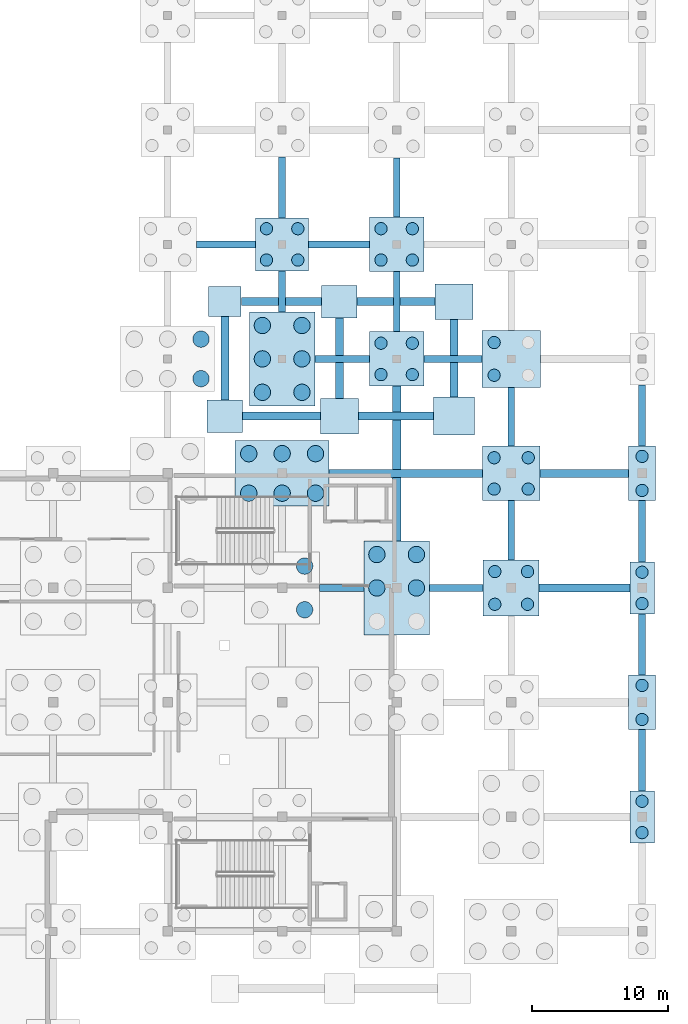
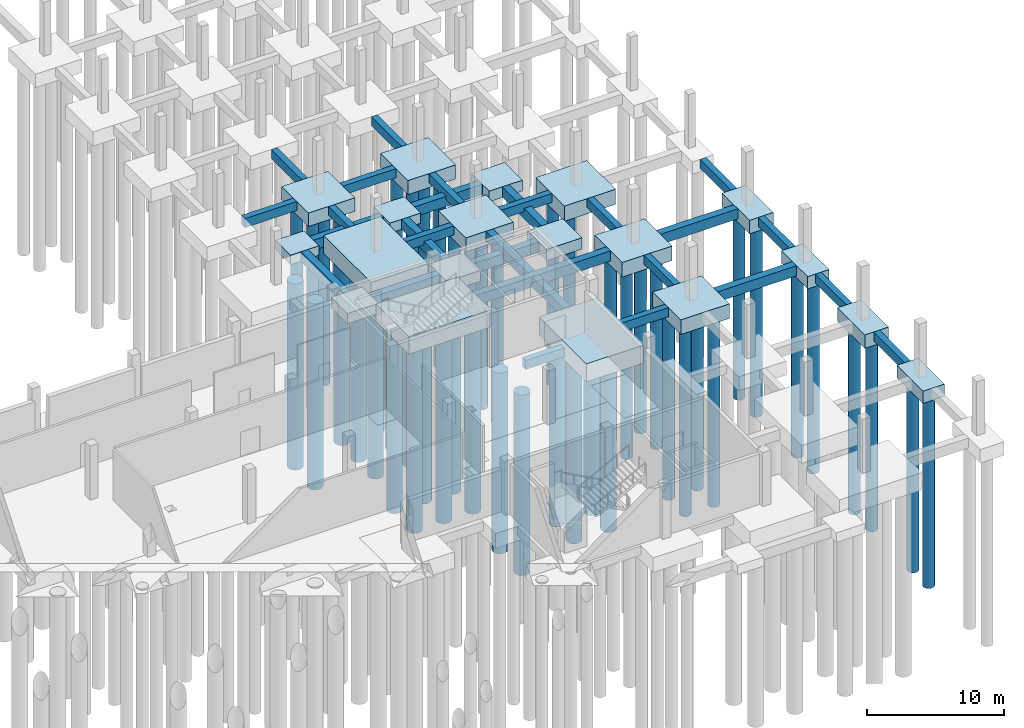
# One storey, part 10 of 24: 50 piles, 46 footings.
"""IFC4 building model written with IfcOpenShell, lengths in metres."""

from ifc_helpers import new_model, si_unit, derived_unit, direction, frame, origin, origin_2d, place, context, subcontext, project, spatial, rectangle, circle, extrude, material, layer, layer_set, material_profile, profile_set, type_object, element, save


model = new_model("IFC4")

# Units and contexts
model_context = context("Model", 3, precision=1e-05, world=origin(), true_north=direction((0.0, 1.0)))
body_context = subcontext(model_context, "Body", "Model", "MODEL_VIEW")
ifc_project = project(units=[si_unit("LENGTHUNIT", "METRE"), si_unit("AREAUNIT", "SQUARE_METRE"), si_unit("VOLUMEUNIT", "CUBIC_METRE"), si_unit("PLANEANGLEUNIT", "RADIAN"), si_unit("MASSUNIT", "GRAM", prefix="KILO"), derived_unit("THERMALTRANSMITTANCEUNIT", [(si_unit("POWERUNIT", "WATT"), 1), (si_unit("LENGTHUNIT", "METRE"), -2), (si_unit("THERMODYNAMICTEMPERATUREUNIT", "KELVIN"), -1)])], contexts=[model_context])

# Site, building, storey
site_placement = place(None, origin())
site = spatial("IfcSite", under=ifc_project, at=site_placement, CompositionType="ELEMENT")
building_placement = place(site_placement, origin())
building = spatial("IfcBuilding", under=site, at=building_placement, Name="Elbkamm Science Centre", CompositionType="ELEMENT")
storey_placement = place(building_placement, frame((0.0, 0.0, -4.800048828125)))
storey = spatial("IfcBuildingStorey", under=building, at=storey_placement, Name="B01", CompositionType="ELEMENT", Elevation=-4.800048828125)

# Footings
ifc_material = material(Name="Concrete C35/45", Category="concrete")
footing_type_1 = type_object("IfcFootingType", Name="FTG-TIE-500x800", PredefinedType="FOOTING_BEAM", material=ifc_material)
footing_1_placement = place(storey_placement, frame((138.77490234375, 50.39990234375, -1.2998046875), z_axis=(0.0, 0.0, 1.0), x_axis=(1.0, 0.0, 0.0)))
element("IfcFooting", 1, at=footing_1_placement, inside=storey, type_object=footing_type_1, Name="Substructure Ground Tie Beam X-078", PredefinedType="FOOTING_BEAM", context=body_context, shape_type="SweptSolid", body=[
    extrude(rectangle(XDim=3.25, YDim=0.5, at=origin_2d()), origin(), (0.0, 0.0, 1.0), 0.800048828125),
])
footing_2_placement = place(storey_placement, frame((147.175048828125, 50.39990234375, -0.7998046875), z_axis=(0.0, 0.0, 1.0), x_axis=(1.0, 0.0, 0.0)))
element("IfcFooting", 2, at=footing_2_placement, inside=storey, type_object=footing_type_1, Name="Substructure Ground Tie Beam X-079", PredefinedType="FOOTING_BEAM", context=body_context, shape_type="SweptSolid", body=[
    extrude(rectangle(XDim=3.949951171875, YDim=0.5, at=origin_2d()), origin(), (0.0, 0.0, 1.0), 0.800048828125),
])
footing_3_placement = place(storey_placement, frame((138.800048828125, 67.199951171875, -0.7998046875), z_axis=(0.0, 0.0, 1.0), x_axis=(1.0, 0.0, 0.0)))
element("IfcFooting", 3, at=footing_3_placement, inside=storey, type_object=footing_type_1, Name="Substructure Ground Tie Beam X-094", PredefinedType="FOOTING_BEAM", context=body_context, shape_type="SweptSolid", body=[
    extrude(rectangle(XDim=4.0, YDim=0.5, at=origin_2d()), origin(), (0.0, 0.0, 1.0), 0.800048828125),
])
footing_4_placement = place(storey_placement, frame((146.925048828125, 67.199951171875, -0.7998046875), z_axis=(0.0, 0.0, 1.0), x_axis=(1.0, 0.0, 0.0)))
element("IfcFooting", 4, at=footing_4_placement, inside=storey, type_object=footing_type_1, Name="Substructure Ground Tie Beam X-095", PredefinedType="FOOTING_BEAM", context=body_context, shape_type="SweptSolid", body=[
    extrude(rectangle(XDim=4.25, YDim=0.5, at=origin_2d()), origin(), (0.0, 0.0, 1.0), 0.800048828125),
])
footing_5_placement = place(storey_placement, frame((130.27490234375, 75.60009765625, -0.7998046875), z_axis=(0.0, 0.0, 1.0), x_axis=(1.0, 0.0, 0.0)))
element("IfcFooting", 5, at=footing_5_placement, inside=storey, type_object=footing_type_1, Name="Substructure Ground Tie Beam X-098", PredefinedType="FOOTING_BEAM", context=body_context, shape_type="SweptSolid", body=[
    extrude(rectangle(XDim=4.35009765625, YDim=0.5, at=origin_2d()), origin(), (0.0, 0.0, 1.0), 0.800048828125),
])
footing_6_placement = place(storey_placement, frame((138.574951171875, 75.60009765625, -0.7998046875), z_axis=(0.0, 0.0, 1.0), x_axis=(1.0, 0.0, 0.0)))
element("IfcFooting", 6, at=footing_6_placement, inside=storey, type_object=footing_type_1, Name="Substructure Ground Tie Beam X-099", PredefinedType="FOOTING_BEAM", context=body_context, shape_type="SweptSolid", body=[
    extrude(rectangle(XDim=4.449951171875, YDim=0.5, at=origin_2d()), origin(), (0.0, 0.0, 1.0), 0.800048828125),
])
footing_7_placement = place(storey_placement, frame((134.39990234375, 72.14990234375, -0.7998046875), z_axis=(0.0, 0.0, 1.0), x_axis=(1.0, 0.0, 0.0)))
element("IfcFooting", 7, at=footing_7_placement, inside=storey, type_object=footing_type_1, Name="Substructure Ground Tie Beam Y-220", PredefinedType="FOOTING_BEAM", context=body_context, shape_type="SweptSolid", body=[
    extrude(rectangle(XDim=0.5, YDim=3.0, at=origin_2d()), origin(), (0.0, 0.0, 1.0), 0.800048828125),
])
footing_8_placement = place(storey_placement, frame((134.39990234375, 79.77490234375, -0.7998046875), z_axis=(0.0, 0.0, 1.0), x_axis=(1.0, 0.0, 0.0)))
element("IfcFooting", 8, at=footing_8_placement, inside=storey, type_object=footing_type_1, Name="Substructure Ground Tie Beam Y-221", PredefinedType="FOOTING_BEAM", context=body_context, shape_type="SweptSolid", body=[
    extrude(rectangle(XDim=0.5, YDim=4.449951171875, at=origin_2d()), origin(), (0.0, 0.0, 1.0), 0.800048828125),
])
footing_9_placement = place(storey_placement, frame((142.800048828125, 71.39990234375, -0.7998046875), z_axis=(0.0, 0.0, 1.0), x_axis=(1.0, 0.0, 0.0)))
element("IfcFooting", 9, at=footing_9_placement, inside=storey, type_object=footing_type_1, Name="Substructure Ground Tie Beam Y-227", PredefinedType="FOOTING_BEAM", context=body_context, shape_type="SweptSolid", body=[
    extrude(rectangle(XDim=0.5, YDim=4.39990234375, at=origin_2d()), origin(), (0.0, 0.0, 1.0), 0.800048828125),
])
for number, where, z_axis, x_axis, name in (
    (10, (142.800048828125, 79.77490234375, -0.7998046875), (0.0, 0.0, 1.0), (1.0, 0.0, 0.0), "Substructure Ground Tie Beam Y-228"),
    (11, (151.199951171875, 54.625, -0.7998046875), (0.0, 0.0, 1.0), (1.0, 0.0, 0.0), "Substructure Ground Tie Beam Y-234"),
):
    element("IfcFooting", number, at=place(storey_placement, frame(where, z_axis=z_axis, x_axis=x_axis)), inside=storey, type_object=footing_type_1, Name=name, PredefinedType="FOOTING_BEAM", context=body_context, shape_type="SweptSolid", body=[
        extrude(rectangle(XDim=0.5, YDim=4.35009765625, at=origin_2d()), origin(), (0.0, 0.0, 1.0), 0.800048828125),
    ])
footing_10_placement = place(storey_placement, frame((151.199951171875, 62.949951171875, -0.7998046875), z_axis=(0.0, 0.0, 1.0), x_axis=(1.0, 0.0, 0.0)))
element("IfcFooting", 12, at=footing_10_placement, inside=storey, type_object=footing_type_1, Name="Substructure Ground Tie Beam Y-235", PredefinedType="FOOTING_BEAM", context=body_context, shape_type="SweptSolid", body=[
    extrude(rectangle(XDim=0.5, YDim=4.300048828125, at=origin_2d()), origin(), (0.0, 0.0, 1.0), 0.800048828125),
])
for number, where, z_axis, x_axis, name in (
    (13, (160.800048828125, 37.75, -0.7998046875), (0.0, 0.0, 1.0), (1.0, 0.0, 0.0), "Substructure Ground Tie Beam Y-242"),
    (14, (160.800048828125, 46.25, -0.7998046875), (0.0, 0.0, 1.0), (1.0, 0.0, 0.0), "Substructure Ground Tie Beam Y-243"),
    (15, (160.800048828125, 54.550048828125, -0.7998046875), (0.0, 0.0, 1.0), (1.0, 0.0, 0.0), "Substructure Ground Tie Beam Y-244"),
    (16, (160.800048828125, 63.050048828125, -0.7998046875), (0.0, 0.0, 1.0), (1.0, 0.0, 0.0), "Substructure Ground Tie Beam Y-245"),
):
    element("IfcFooting", number, at=place(storey_placement, frame(where, z_axis=z_axis, x_axis=x_axis)), inside=storey, type_object=footing_type_1, Name=name, PredefinedType="FOOTING_BEAM", context=body_context, shape_type="SweptSolid", body=[
        extrude(rectangle(XDim=0.5, YDim=4.5, at=origin_2d()), origin(), (0.0, 0.0, 1.0), 0.800048828125),
    ])
footing_type_2 = type_object("IfcFootingType", Name="FTG-TIE-600x900", PredefinedType="FOOTING_BEAM", material=ifc_material)
footing_11_placement = place(storey_placement, frame((156.574951171875, 50.39990234375, -0.89990234375), z_axis=(0.0, 0.0, 1.0), x_axis=(1.0, 0.0, 0.0)))
element("IfcFooting", 17, at=footing_11_placement, inside=storey, type_object=footing_type_2, Name="Substructure Ground Tie Beam X-080", PredefinedType="FOOTING_BEAM", context=body_context, shape_type="SweptSolid", body=[
    extrude(rectangle(XDim=6.64990234375, YDim=0.60009765625, at=origin_2d()), origin(), (0.0, 0.0, 1.0), 0.89990234375),
])
footing_12_placement = place(storey_placement, frame((143.47509765625, 58.800048828125, -0.89990234375), z_axis=(0.0, 0.0, 1.0), x_axis=(1.0, 0.0, 0.0)))
element("IfcFooting", 18, at=footing_12_placement, inside=storey, type_object=footing_type_2, Name="Substructure Ground Tie Beam X-089", PredefinedType="FOOTING_BEAM", context=body_context, shape_type="SweptSolid", body=[
    extrude(rectangle(XDim=11.25, YDim=0.60009765625, at=origin_2d()), origin(), (0.0, 0.0, 1.0), 0.89990234375),
])
footing_13_placement = place(storey_placement, frame((156.550048828125, 58.800048828125, -0.89990234375), z_axis=(0.0, 0.0, 1.0), x_axis=(1.0, 0.0, 0.0)))
element("IfcFooting", 19, at=footing_13_placement, inside=storey, type_object=footing_type_2, Name="Substructure Ground Tie Beam X-090", PredefinedType="FOOTING_BEAM", context=body_context, shape_type="SweptSolid", body=[
    extrude(rectangle(XDim=6.5, YDim=0.60009765625, at=origin_2d()), origin(), (0.0, 0.0, 1.0), 0.89990234375),
])
footing_14_placement = place(storey_placement, frame((142.800048828125, 59.52490234375, -0.89990234375), z_axis=(0.0, 0.0, 1.0), x_axis=(1.0, 0.0, 0.0)))
element("IfcFooting", 20, at=footing_14_placement, inside=storey, type_object=footing_type_2, Name="Substructure Ground Tie Beam Y-226", PredefinedType="FOOTING_BEAM", context=body_context, shape_type="SweptSolid", body=[
    extrude(rectangle(XDim=0.60009765625, YDim=11.35009765625, at=origin_2d()), origin(), (0.0, 0.0, 1.0), 0.89990234375),
])
footing_15_placement = place(storey_placement, frame((134.35009765625, 63.0, -1.39990234375), z_axis=(0.0, 0.0, 1.0), x_axis=(1.0, 0.0, 0.0)))
element("IfcFooting", 21, at=footing_15_placement, inside=storey, type_object=footing_type_2, Name="Substructure Ground Tie Beam X-253", PredefinedType="FOOTING_BEAM", context=body_context, shape_type="SweptSolid", body=[
    extrude(rectangle(XDim=5.699951171875, YDim=0.60009765625, at=origin_2d()), origin(), (0.0, 0.0, 1.0), 0.89990234375),
])
footing_16_placement = place(storey_placement, frame((142.75, 63.0, -1.39990234375), z_axis=(0.0, 0.0, 1.0), x_axis=(1.0, 0.0, 0.0)))
element("IfcFooting", 22, at=footing_16_placement, inside=storey, type_object=footing_type_2, Name="Substructure Ground Tie Beam X-254", PredefinedType="FOOTING_BEAM", context=body_context, shape_type="SweptSolid", body=[
    extrude(rectangle(XDim=5.5, YDim=0.60009765625, at=origin_2d()), origin(), (0.0, 0.0, 1.0), 0.89990234375),
])
footing_17_placement = place(storey_placement, frame((134.35009765625, 71.39990234375, -1.39990234375), z_axis=(0.0, 0.0, 1.0), x_axis=(1.0, 0.0, 0.0)))
element("IfcFooting", 23, at=footing_17_placement, inside=storey, type_object=footing_type_2, Name="Substructure Ground Tie Beam X-255", PredefinedType="FOOTING_BEAM", context=body_context, shape_type="SweptSolid", body=[
    extrude(rectangle(XDim=5.89990234375, YDim=0.60009765625, at=origin_2d()), origin(), (0.0, 0.0, 1.0), 0.89990234375),
])
footing_18_placement = place(storey_placement, frame((142.75, 71.39990234375, -1.39990234375), z_axis=(0.0, 0.0, 1.0), x_axis=(1.0, 0.0, 0.0)))
element("IfcFooting", 24, at=footing_18_placement, inside=storey, type_object=footing_type_2, Name="Substructure Ground Tie Beam X-256", PredefinedType="FOOTING_BEAM", context=body_context, shape_type="SweptSolid", body=[
    extrude(rectangle(XDim=5.699951171875, YDim=0.60009765625, at=origin_2d()), origin(), (0.0, 0.0, 1.0), 0.89990234375),
])
footing_19_placement = place(storey_placement, frame((130.199951171875, 67.25, -1.39990234375), z_axis=(0.0, 0.0, 1.0), x_axis=(1.0, 0.0, 0.0)))
element("IfcFooting", 25, at=footing_19_placement, inside=storey, type_object=footing_type_2, Name="Substructure Ground Tie Beam Y-257", PredefinedType="FOOTING_BEAM", context=body_context, shape_type="SweptSolid", body=[
    extrude(rectangle(XDim=0.60009765625, YDim=6.10009765625, at=origin_2d()), origin(), (0.0, 0.0, 1.0), 0.89990234375),
])
footing_20_placement = place(storey_placement, frame((138.60009765625, 67.25, -1.39990234375), z_axis=(0.0, 0.0, 1.0), x_axis=(1.0, 0.0, 0.0)))
element("IfcFooting", 26, at=footing_20_placement, inside=storey, type_object=footing_type_2, Name="Substructure Ground Tie Beam Y-258", PredefinedType="FOOTING_BEAM", context=body_context, shape_type="SweptSolid", body=[
    extrude(rectangle(XDim=0.60009765625, YDim=5.89990234375, at=origin_2d()), origin(), (0.0, 0.0, 1.0), 0.89990234375),
])
footing_21_placement = place(storey_placement, frame((147.0, 67.25, -1.39990234375), z_axis=(0.0, 0.0, 1.0), x_axis=(1.0, 0.0, 0.0)))
element("IfcFooting", 27, at=footing_21_placement, inside=storey, type_object=footing_type_2, Name="Substructure Ground Tie Beam Y-259", PredefinedType="FOOTING_BEAM", context=body_context, shape_type="SweptSolid", body=[
    extrude(rectangle(XDim=0.60009765625, YDim=5.699951171875, at=origin_2d()), origin(), (0.0, 0.0, 1.0), 0.89990234375),
])
ifc_layer_1 = layer(ifc_material, 0.85009765625)
ifc_layer_set_1 = layer_set([ifc_layer_1], Name="Concrete C35/45")
footing_type_3 = type_object("IfcFootingType", Name="PAD-240x220x85", PredefinedType="PAD_FOOTING", material=ifc_layer_set_1)
footing_22_placement = place(storey_placement, frame((130.199951171875, 71.39990234375, -1.35009765625), z_axis=(0.0, 0.0, 1.0), x_axis=(1.0, 0.0, 0.0)))
element("IfcFooting", 28, at=footing_22_placement, inside=storey, type_object=footing_type_3, Name="Equipment Pad Footing 07", PredefinedType="PAD_FOOTING", context=body_context, shape_type="SweptSolid", body=[
    extrude(rectangle(XDim=2.39990234375, YDim=2.199951171875, at=origin_2d()), origin(), (0.0, 0.0, 1.0), 0.85009765625),
])
ifc_layer_2 = layer(ifc_material, 0.89990234375)
ifc_layer_set_2 = layer_set([ifc_layer_2], Name="Concrete C35/45")
footing_type_4 = type_object("IfcFootingType", Name="PAD-260x240x90", PredefinedType="PAD_FOOTING", material=ifc_layer_set_2)
for number, where, z_axis, x_axis, name in (
    (29, (130.199951171875, 63.0, -1.39990234375), (0.0, 0.0, 1.0), (1.0, 0.0, 0.0), "Equipment Pad Footing 04"),
    (30, (138.60009765625, 71.39990234375, -1.39990234375), (0.0, 0.0, 1.0), (1.0, 0.0, 0.0), "Equipment Pad Footing 08"),
):
    element("IfcFooting", number, at=place(storey_placement, frame(where, z_axis=z_axis, x_axis=x_axis)), inside=storey, type_object=footing_type_4, Name=name, PredefinedType="PAD_FOOTING", context=body_context, shape_type="SweptSolid", body=[
        extrude(rectangle(XDim=2.60009765625, YDim=2.39990234375, at=origin_2d()), origin(), (0.0, 0.0, 1.0), 0.89990234375),
    ])
ifc_layer_3 = layer(ifc_material, 0.949951171875)
ifc_layer_set_3 = layer_set([ifc_layer_3], Name="Concrete C35/45")
footing_type_5 = type_object("IfcFootingType", Name="PAD-280x260x95", PredefinedType="PAD_FOOTING", material=ifc_layer_set_3)
for number, where, z_axis, x_axis, name in (
    (31, (138.60009765625, 63.0, -1.44970703125), (0.0, 0.0, 1.0), (1.0, 0.0, 0.0), "Equipment Pad Footing 05"),
    (32, (147.0, 71.39990234375, -1.44970703125), (0.0, 0.0, 1.0), (1.0, 0.0, 0.0), "Equipment Pad Footing 09"),
):
    element("IfcFooting", number, at=place(storey_placement, frame(where, z_axis=z_axis, x_axis=x_axis)), inside=storey, type_object=footing_type_5, Name=name, PredefinedType="PAD_FOOTING", context=body_context, shape_type="SweptSolid", body=[
        extrude(rectangle(XDim=2.800048828125, YDim=2.60009765625, at=origin_2d()), origin(), (0.0, 0.0, 1.0), 0.949951171875),
    ])
ifc_layer_4 = layer(ifc_material, 1.0)
ifc_layer_set_4 = layer_set([ifc_layer_4], Name="Concrete C35/45")
footing_type_6 = type_object("IfcFootingType", Name="PAD-300x280x100", PredefinedType="PAD_FOOTING", material=ifc_layer_set_4)
footing_23_placement = place(storey_placement, frame((147.0, 63.0, -1.5), z_axis=(0.0, 0.0, 1.0), x_axis=(1.0, 0.0, 0.0)))
element("IfcFooting", 33, at=footing_23_placement, inside=storey, type_object=footing_type_6, Name="Equipment Pad Footing 06", PredefinedType="PAD_FOOTING", context=body_context, shape_type="SweptSolid", body=[
    extrude(rectangle(XDim=3.0, YDim=2.800048828125, at=origin_2d()), origin(), (0.0, 0.0, 1.0), 1.0),
])
ifc_layer_5 = layer(ifc_material, 1.10009765625)
ifc_layer_set_5 = layer_set([ifc_layer_5], Name="Concrete C35/45")
footing_type_7 = type_object("IfcFootingType", Name="PC-2P-180x380x110", PredefinedType="PILE_CAP", material=ifc_layer_set_5)
for number, where, z_axis, x_axis, name in (
    (34, (160.800048828125, 33.60009765625, -1.10009765625), (0.0, 0.0, 1.0), (1.0, 0.0, 0.0), "Pile Cap GRID-20-E"),
    (35, (160.800048828125, 50.39990234375, -1.10009765625), (0.0, 0.0, 1.0), (1.0, 0.0, 0.0), "Pile Cap GRID-20-G"),
):
    element("IfcFooting", number, at=place(storey_placement, frame(where, z_axis=z_axis, x_axis=x_axis)), inside=storey, type_object=footing_type_7, Name=name, PredefinedType="PILE_CAP", context=body_context, shape_type="SweptSolid", body=[
        extrude(rectangle(XDim=1.800048828125, YDim=3.800048828125, at=origin_2d()), origin(), (0.0, 0.0, 1.0), 1.10009765625),
    ])
ifc_layer_6 = layer(ifc_material, 1.199951171875)
ifc_layer_set_6 = layer_set([ifc_layer_6], Name="Concrete C35/45")
footing_type_8 = type_object("IfcFootingType", Name="PC-2P-200x400x120", PredefinedType="PILE_CAP", material=ifc_layer_set_6)
for number, where, z_axis, x_axis, name in (
    (36, (160.800048828125, 42.0, -1.19970703125), (0.0, 0.0, 1.0), (1.0, 0.0, 0.0), "Pile Cap GRID-20-F"),
    (37, (160.800048828125, 58.800048828125, -1.19970703125), (0.0, 0.0, 1.0), (1.0, 0.0, 0.0), "Pile Cap GRID-20-H"),
):
    element("IfcFooting", number, at=place(storey_placement, frame(where, z_axis=z_axis, x_axis=x_axis)), inside=storey, type_object=footing_type_8, Name=name, PredefinedType="PILE_CAP", context=body_context, shape_type="SweptSolid", body=[
        extrude(rectangle(XDim=2.0, YDim=4.0, at=origin_2d()), origin(), (0.0, 0.0, 1.0), 1.199951171875),
    ])
ifc_layer_7 = layer(ifc_material, 1.199951171875)
ifc_layer_set_7 = layer_set([ifc_layer_7], Name="Concrete C35/45")
footing_type_9 = type_object("IfcFootingType", Name="PC-4P-390x390x120", PredefinedType="PILE_CAP", material=ifc_layer_set_7)
footing_24_placement = place(storey_placement, frame((134.39990234375, 75.60009765625, -1.19970703125), z_axis=(0.0, 0.0, 1.0), x_axis=(1.0, 0.0, 0.0)))
element("IfcFooting", 38, at=footing_24_placement, inside=storey, type_object=footing_type_9, Name="Pile Cap GRID-17-K", PredefinedType="PILE_CAP", context=body_context, shape_type="SweptSolid", body=[
    extrude(rectangle(XDim=3.89990234375, YDim=3.89990234375, at=origin_2d()), origin(), (0.0, 0.0, 1.0), 1.199951171875),
])
ifc_layer_8 = layer(ifc_material, 1.25)
ifc_layer_set_8 = layer_set([ifc_layer_8], Name="Concrete C35/45")
footing_type_10 = type_object("IfcFootingType", Name="PC-4P-400x400x125", PredefinedType="PILE_CAP", material=ifc_layer_set_8)
for number, where, z_axis, x_axis, name in (
    (39, (142.800048828125, 67.199951171875, -1.25), (0.0, 0.0, 1.0), (1.0, 0.0, 0.0), "Pile Cap GRID-18-J"),
    (40, (142.800048828125, 75.60009765625, -1.25), (0.0, 0.0, 1.0), (1.0, 0.0, 0.0), "Pile Cap GRID-18-K"),
):
    element("IfcFooting", number, at=place(storey_placement, frame(where, z_axis=z_axis, x_axis=x_axis)), inside=storey, type_object=footing_type_10, Name=name, PredefinedType="PILE_CAP", context=body_context, shape_type="SweptSolid", body=[
        extrude(rectangle(XDim=4.0, YDim=4.0, at=origin_2d()), origin(), (0.0, 0.0, 1.0), 1.25),
    ])
ifc_layer_9 = layer(ifc_material, 1.300048828125)
ifc_layer_set_9 = layer_set([ifc_layer_9], Name="Concrete C35/45")
footing_type_11 = type_object("IfcFootingType", Name="PC-4P-410x410x130", PredefinedType="PILE_CAP", material=ifc_layer_set_9)
footing_25_placement = place(storey_placement, frame((151.199951171875, 50.39990234375, -1.2998046875), z_axis=(0.0, 0.0, 1.0), x_axis=(1.0, 0.0, 0.0)))
element("IfcFooting", 41, at=footing_25_placement, inside=storey, type_object=footing_type_11, Name="Pile Cap GRID-19-G", PredefinedType="PILE_CAP", context=body_context, shape_type="SweptSolid", body=[
    extrude(rectangle(XDim=4.10009765625, YDim=4.10009765625, at=origin_2d()), origin(), (0.0, 0.0, 1.0), 1.300048828125),
])
ifc_layer_10 = layer(ifc_material, 1.300048828125)
ifc_layer_set_10 = layer_set([ifc_layer_10], Name="Concrete C35/45")
footing_type_12 = type_object("IfcFootingType", Name="PC-4P-420x400x130", PredefinedType="PILE_CAP", material=ifc_layer_set_10)
footing_26_placement = place(storey_placement, frame((151.199951171875, 58.800048828125, -1.2998046875), z_axis=(0.0, 0.0, 1.0), x_axis=(1.0, 0.0, 0.0)))
element("IfcFooting", 42, at=footing_26_placement, inside=storey, type_object=footing_type_12, Name="Pile Cap GRID-19-H", PredefinedType="PILE_CAP", context=body_context, shape_type="SweptSolid", body=[
    extrude(rectangle(XDim=4.199951171875, YDim=4.0, at=origin_2d()), origin(), (0.0, 0.0, 1.0), 1.300048828125),
])
ifc_layer_11 = layer(ifc_material, 1.35009765625)
ifc_layer_set_11 = layer_set([ifc_layer_11], Name="Concrete C35/45")
footing_type_13 = type_object("IfcFootingType", Name="PC-4P-430x420x135", PredefinedType="PILE_CAP", material=ifc_layer_set_11)
footing_27_placement = place(storey_placement, frame((151.199951171875, 67.199951171875, -1.35009765625), z_axis=(0.0, 0.0, 1.0), x_axis=(1.0, 0.0, 0.0)))
element("IfcFooting", 43, at=footing_27_placement, inside=storey, type_object=footing_type_13, Name="Pile Cap GRID-19-J", PredefinedType="PILE_CAP", context=body_context, shape_type="SweptSolid", body=[
    extrude(rectangle(XDim=4.300048828125, YDim=4.199951171875, at=origin_2d()), origin(), (0.0, 0.0, 1.0), 1.35009765625),
])
ifc_layer_12 = layer(ifc_material, 1.60009765625)
ifc_layer_set_12 = layer_set([ifc_layer_12], Name="Concrete C35/45")
footing_type_14 = type_object("IfcFootingType", Name="PC-6P-480x690x160", PredefinedType="PILE_CAP", material=ifc_layer_set_12)
for number, where, z_axis, x_axis, name in (
    (44, (134.39990234375, 67.199951171875, -1.60009765625), (0.0, 0.0, 1.0), (1.0, 0.0, 0.0), "Pile Cap GRID-17-J"),
    (45, (142.800048828125, 50.39990234375, -1.60009765625), (0.0, 0.0, 1.0), (1.0, 0.0, 0.0), "Pile Cap GRID-18-G"),
):
    element("IfcFooting", number, at=place(storey_placement, frame(where, z_axis=z_axis, x_axis=x_axis)), inside=storey, type_object=footing_type_14, Name=name, PredefinedType="PILE_CAP", context=body_context, shape_type="SweptSolid", body=[
        extrude(rectangle(XDim=4.800048828125, YDim=6.89990234375, at=origin_2d()), origin(), (0.0, 0.0, 1.0), 1.60009765625),
    ])
ifc_layer_13 = layer(ifc_material, 1.550048828125)
ifc_layer_set_13 = layer_set([ifc_layer_13], Name="Concrete C35/45")
footing_type_15 = type_object("IfcFootingType", Name="PC-6P-690x480x155", PredefinedType="PILE_CAP", material=ifc_layer_set_13)
footing_28_placement = place(storey_placement, frame((134.39990234375, 58.800048828125, -1.5498046875), z_axis=(0.0, 0.0, 1.0), x_axis=(1.0, 0.0, 0.0)))
element("IfcFooting", 46, at=footing_28_placement, inside=storey, type_object=footing_type_15, Name="Pile Cap GRID-17-H", PredefinedType="PILE_CAP", context=body_context, shape_type="SweptSolid", body=[
    extrude(rectangle(XDim=6.89990234375, YDim=4.800048828125, at=origin_2d()), origin(), (0.0, 0.0, 1.0), 1.550048828125),
])

# Piles
ifc_material_profile_1 = material_profile(ifc_material, circle(Radius=0.60009765625, at=origin_2d()), Name="PILE D1200")
ifc_profile_set_1 = profile_set([ifc_material_profile_1], Name="Concrete C35/45")
pile_type_1 = type_object("IfcPileType", Name="PILE-BORED-1200", PredefinedType="BORED", material=ifc_profile_set_1)
for number, where, z_axis, x_axis, name in (
    (47, (128.449951171875, 65.75, -1.449951171875), (0.0, 0.0, -1.0), (1.0, 0.0, 0.0), "Bored Pile GRID-16-J-3"),
    (48, (128.449951171875, 68.64990234375, -1.449951171875), (0.0, 0.0, -1.0), (1.0, 0.0, 0.0), "Bored Pile GRID-16-J-6"),
):
    element("IfcPile", number, at=place(storey_placement, frame(where, z_axis=z_axis, x_axis=x_axis)), inside=storey, type_object=pile_type_1, Name=name, PredefinedType="BORED", context=body_context, shape_type="SweptSolid", body=[
        extrude(circle(Radius=0.60009765625, at=origin_2d()), origin(), (0.0, 0.0, 1.0), 16.550048828125),
    ])
for number, where, z_axis, x_axis, name in (
    (49, (136.050048828125, 48.800048828125, -1.949951171875), (0.0, 0.0, -1.0), (1.0, 0.0, 0.0), "Bored Pile GRID-17-G-2"),
    (50, (136.050048828125, 52.0, -1.949951171875), (0.0, 0.0, -1.0), (1.0, 0.0, 0.0), "Bored Pile GRID-17-G-4"),
):
    element("IfcPile", number, at=place(storey_placement, frame(where, z_axis=z_axis, x_axis=x_axis)), inside=storey, type_object=pile_type_1, Name=name, PredefinedType="BORED", context=body_context, shape_type="SweptSolid", body=[
        extrude(circle(Radius=0.60009765625, at=origin_2d()), origin(), (0.0, 0.0, 1.0), 16.050048828125),
    ])
for number, where, z_axis, x_axis, name in (
    (51, (131.949951171875, 57.35009765625, -1.449951171875), (0.0, 0.0, -1.0), (1.0, 0.0, 0.0), "Bored Pile GRID-17-H-1"),
    (52, (134.39990234375, 57.35009765625, -1.449951171875), (0.0, 0.0, -1.0), (1.0, 0.0, 0.0), "Bored Pile GRID-17-H-2"),
    (53, (136.85009765625, 57.35009765625, -1.449951171875), (0.0, 0.0, -1.0), (1.0, 0.0, 0.0), "Bored Pile GRID-17-H-3"),
    (54, (131.949951171875, 60.25, -1.449951171875), (0.0, 0.0, -1.0), (1.0, 0.0, 0.0), "Bored Pile GRID-17-H-4"),
    (55, (134.39990234375, 60.25, -1.449951171875), (0.0, 0.0, -1.0), (1.0, 0.0, 0.0), "Bored Pile GRID-17-H-5"),
    (56, (136.85009765625, 60.25, -1.449951171875), (0.0, 0.0, -1.0), (1.0, 0.0, 0.0), "Bored Pile GRID-17-H-6"),
):
    element("IfcPile", number, at=place(storey_placement, frame(where, z_axis=z_axis, x_axis=x_axis)), inside=storey, type_object=pile_type_1, Name=name, PredefinedType="BORED", context=body_context, shape_type="SweptSolid", body=[
        extrude(circle(Radius=0.60009765625, at=origin_2d()), origin(), (0.0, 0.0, 1.0), 16.550048828125),
    ])
for number, where, z_axis, x_axis, name in (
    (57, (132.949951171875, 64.75, -1.5), (0.0, 0.0, -1.0), (1.0, 0.0, 0.0), "Bored Pile GRID-17-J-1"),
    (58, (132.949951171875, 67.199951171875, -1.5), (0.0, 0.0, -1.0), (1.0, 0.0, 0.0), "Bored Pile GRID-17-J-2"),
    (59, (132.949951171875, 69.64990234375, -1.5), (0.0, 0.0, -1.0), (1.0, 0.0, 0.0), "Bored Pile GRID-17-J-3"),
    (60, (135.85009765625, 64.75, -1.5), (0.0, 0.0, -1.0), (1.0, 0.0, 0.0), "Bored Pile GRID-17-J-4"),
    (61, (135.85009765625, 67.199951171875, -1.5), (0.0, 0.0, -1.0), (1.0, 0.0, 0.0), "Bored Pile GRID-17-J-5"),
    (62, (135.85009765625, 69.64990234375, -1.5), (0.0, 0.0, -1.0), (1.0, 0.0, 0.0), "Bored Pile GRID-17-J-6"),
    (63, (141.35009765625, 50.39990234375, -1.5), (0.0, 0.0, -1.0), (1.0, 0.0, 0.0), "Bored Pile GRID-18-G-2"),
    (64, (141.35009765625, 52.85009765625, -1.5), (0.0, 0.0, -1.0), (1.0, 0.0, 0.0), "Bored Pile GRID-18-G-3"),
    (65, (144.25, 50.39990234375, -1.5), (0.0, 0.0, -1.0), (1.0, 0.0, 0.0), "Bored Pile GRID-18-G-5"),
    (66, (144.25, 52.85009765625, -1.5), (0.0, 0.0, -1.0), (1.0, 0.0, 0.0), "Bored Pile GRID-18-G-6"),
):
    element("IfcPile", number, at=place(storey_placement, frame(where, z_axis=z_axis, x_axis=x_axis)), inside=storey, type_object=pile_type_1, Name=name, PredefinedType="BORED", context=body_context, shape_type="SweptSolid", body=[
        extrude(circle(Radius=0.60009765625, at=origin_2d()), origin(), (0.0, 0.0, 1.0), 16.5),
    ])
ifc_material_profile_2 = material_profile(ifc_material, circle(Radius=0.449951171875, at=origin_2d()), Name="PILE D900")
ifc_profile_set_2 = profile_set([ifc_material_profile_2], Name="Concrete C35/45")
pile_type_2 = type_object("IfcPileType", Name="PILE-BORED-900", PredefinedType="BORED", material=ifc_profile_set_2)
for number, where, z_axis, x_axis, name in (
    (67, (133.25, 74.449951171875, -1.099853515625), (0.0, 0.0, -1.0), (1.0, 0.0, 0.0), "Bored Pile GRID-17-K-1"),
    (68, (135.550048828125, 74.449951171875, -1.099853515625), (0.0, 0.0, -1.0), (1.0, 0.0, 0.0), "Bored Pile GRID-17-K-2"),
    (69, (133.25, 76.75, -1.099853515625), (0.0, 0.0, -1.0), (1.0, 0.0, 0.0), "Bored Pile GRID-17-K-3"),
    (70, (135.550048828125, 76.75, -1.099853515625), (0.0, 0.0, -1.0), (1.0, 0.0, 0.0), "Bored Pile GRID-17-K-4"),
):
    element("IfcPile", number, at=place(storey_placement, frame(where, z_axis=z_axis, x_axis=x_axis)), inside=storey, type_object=pile_type_2, Name=name, PredefinedType="BORED", context=body_context, shape_type="SweptSolid", body=[
        extrude(circle(Radius=0.449951171875, at=origin_2d()), origin(), (0.0, 0.0, 1.0), 16.89990234375),
    ])
for number, where, z_axis, x_axis, name in (
    (71, (141.64990234375, 66.050048828125, -1.14990234375), (0.0, 0.0, -1.0), (1.0, 0.0, 0.0), "Bored Pile GRID-18-J-1"),
    (72, (143.949951171875, 66.050048828125, -1.14990234375), (0.0, 0.0, -1.0), (1.0, 0.0, 0.0), "Bored Pile GRID-18-J-2"),
    (73, (141.64990234375, 68.35009765625, -1.14990234375), (0.0, 0.0, -1.0), (1.0, 0.0, 0.0), "Bored Pile GRID-18-J-3"),
    (74, (143.949951171875, 68.35009765625, -1.14990234375), (0.0, 0.0, -1.0), (1.0, 0.0, 0.0), "Bored Pile GRID-18-J-4"),
    (75, (141.64990234375, 74.449951171875, -1.14990234375), (0.0, 0.0, -1.0), (1.0, 0.0, 0.0), "Bored Pile GRID-18-K-1"),
    (76, (143.949951171875, 74.449951171875, -1.14990234375), (0.0, 0.0, -1.0), (1.0, 0.0, 0.0), "Bored Pile GRID-18-K-2"),
    (77, (141.64990234375, 76.75, -1.14990234375), (0.0, 0.0, -1.0), (1.0, 0.0, 0.0), "Bored Pile GRID-18-K-3"),
    (78, (143.949951171875, 76.75, -1.14990234375), (0.0, 0.0, -1.0), (1.0, 0.0, 0.0), "Bored Pile GRID-18-K-4"),
):
    element("IfcPile", number, at=place(storey_placement, frame(where, z_axis=z_axis, x_axis=x_axis)), inside=storey, type_object=pile_type_2, Name=name, PredefinedType="BORED", context=body_context, shape_type="SweptSolid", body=[
        extrude(circle(Radius=0.449951171875, at=origin_2d()), origin(), (0.0, 0.0, 1.0), 16.85009765625),
    ])
for number, where, z_axis, x_axis, name in (
    (79, (150.0, 49.199951171875, -1.199951171875), (0.0, 0.0, -1.0), (1.0, 0.0, 0.0), "Bored Pile GRID-19-G-1"),
    (80, (152.39990234375, 49.199951171875, -1.199951171875), (0.0, 0.0, -1.0), (1.0, 0.0, 0.0), "Bored Pile GRID-19-G-2"),
    (81, (150.0, 51.60009765625, -1.199951171875), (0.0, 0.0, -1.0), (1.0, 0.0, 0.0), "Bored Pile GRID-19-G-3"),
    (82, (152.39990234375, 51.60009765625, -1.199951171875), (0.0, 0.0, -1.0), (1.0, 0.0, 0.0), "Bored Pile GRID-19-G-4"),
    (83, (149.949951171875, 57.64990234375, -1.199951171875), (0.0, 0.0, -1.0), (1.0, 0.0, 0.0), "Bored Pile GRID-19-H-1"),
    (84, (152.449951171875, 57.64990234375, -1.199951171875), (0.0, 0.0, -1.0), (1.0, 0.0, 0.0), "Bored Pile GRID-19-H-2"),
    (85, (149.949951171875, 59.949951171875, -1.199951171875), (0.0, 0.0, -1.0), (1.0, 0.0, 0.0), "Bored Pile GRID-19-H-3"),
    (86, (152.449951171875, 59.949951171875, -1.199951171875), (0.0, 0.0, -1.0), (1.0, 0.0, 0.0), "Bored Pile GRID-19-H-4"),
):
    element("IfcPile", number, at=place(storey_placement, frame(where, z_axis=z_axis, x_axis=x_axis)), inside=storey, type_object=pile_type_2, Name=name, PredefinedType="BORED", context=body_context, shape_type="SweptSolid", body=[
        extrude(circle(Radius=0.449951171875, at=origin_2d()), origin(), (0.0, 0.0, 1.0), 16.800048828125),
    ])
for number, where, z_axis, x_axis, name in (
    (87, (149.949951171875, 66.0, -1.25), (0.0, 0.0, -1.0), (1.0, 0.0, 0.0), "Bored Pile GRID-19-J-1"),
    (88, (149.949951171875, 68.39990234375, -1.25), (0.0, 0.0, -1.0), (1.0, 0.0, 0.0), "Bored Pile GRID-19-J-3"),
):
    element("IfcPile", number, at=place(storey_placement, frame(where, z_axis=z_axis, x_axis=x_axis)), inside=storey, type_object=pile_type_2, Name=name, PredefinedType="BORED", context=body_context, shape_type="SweptSolid", body=[
        extrude(circle(Radius=0.449951171875, at=origin_2d()), origin(), (0.0, 0.0, 1.0), 16.75),
    ])
for number, where, z_axis, x_axis, name in (
    (89, (160.800048828125, 32.449951171875, -1.0), (0.0, 0.0, -1.0), (1.0, 0.0, 0.0), "Bored Pile GRID-20-E-1"),
    (90, (160.800048828125, 34.75, -1.0), (0.0, 0.0, -1.0), (1.0, 0.0, 0.0), "Bored Pile GRID-20-E-2"),
):
    element("IfcPile", number, at=place(storey_placement, frame(where, z_axis=z_axis, x_axis=x_axis)), inside=storey, type_object=pile_type_2, Name=name, PredefinedType="BORED", context=body_context, shape_type="SweptSolid", body=[
        extrude(circle(Radius=0.449951171875, at=origin_2d()), origin(), (0.0, 0.0, 1.0), 17.0),
    ])
for number, where, z_axis, x_axis, name in (
    (91, (160.800048828125, 40.75, -1.099853515625), (0.0, 0.0, -1.0), (1.0, 0.0, 0.0), "Bored Pile GRID-20-F-1"),
    (92, (160.800048828125, 43.25, -1.099853515625), (0.0, 0.0, -1.0), (1.0, 0.0, 0.0), "Bored Pile GRID-20-F-2"),
):
    element("IfcPile", number, at=place(storey_placement, frame(where, z_axis=z_axis, x_axis=x_axis)), inside=storey, type_object=pile_type_2, Name=name, PredefinedType="BORED", context=body_context, shape_type="SweptSolid", body=[
        extrude(circle(Radius=0.449951171875, at=origin_2d()), origin(), (0.0, 0.0, 1.0), 16.89990234375),
    ])
for number, where, z_axis, x_axis, name in (
    (93, (160.800048828125, 49.25, -1.0), (0.0, 0.0, -1.0), (1.0, 0.0, 0.0), "Bored Pile GRID-20-G-1"),
    (94, (160.800048828125, 51.550048828125, -1.0), (0.0, 0.0, -1.0), (1.0, 0.0, 0.0), "Bored Pile GRID-20-G-2"),
):
    element("IfcPile", number, at=place(storey_placement, frame(where, z_axis=z_axis, x_axis=x_axis)), inside=storey, type_object=pile_type_2, Name=name, PredefinedType="BORED", context=body_context, shape_type="SweptSolid", body=[
        extrude(circle(Radius=0.449951171875, at=origin_2d()), origin(), (0.0, 0.0, 1.0), 17.0),
    ])
for number, where, z_axis, x_axis, name in (
    (95, (160.800048828125, 57.550048828125, -1.099853515625), (0.0, 0.0, -1.0), (1.0, 0.0, 0.0), "Bored Pile GRID-20-H-1"),
    (96, (160.800048828125, 60.050048828125, -1.099853515625), (0.0, 0.0, -1.0), (1.0, 0.0, 0.0), "Bored Pile GRID-20-H-2"),
):
    element("IfcPile", number, at=place(storey_placement, frame(where, z_axis=z_axis, x_axis=x_axis)), inside=storey, type_object=pile_type_2, Name=name, PredefinedType="BORED", context=body_context, shape_type="SweptSolid", body=[
        extrude(circle(Radius=0.449951171875, at=origin_2d()), origin(), (0.0, 0.0, 1.0), 16.89990234375),
    ])

save(model, "model.ifc")
